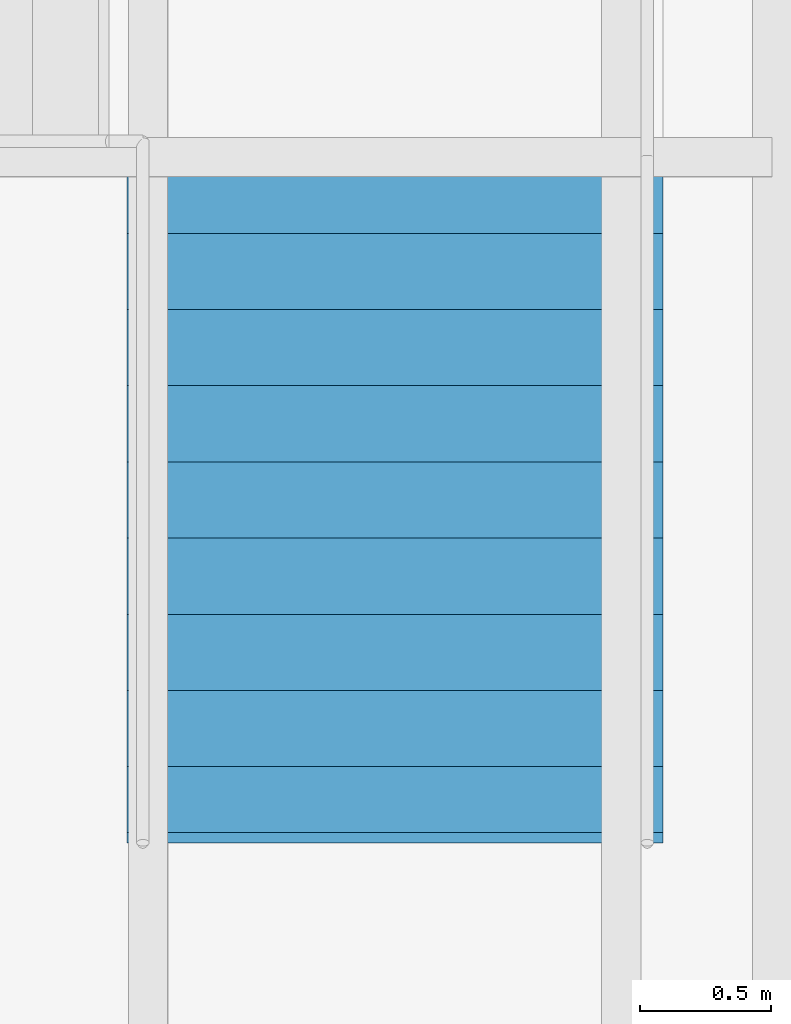
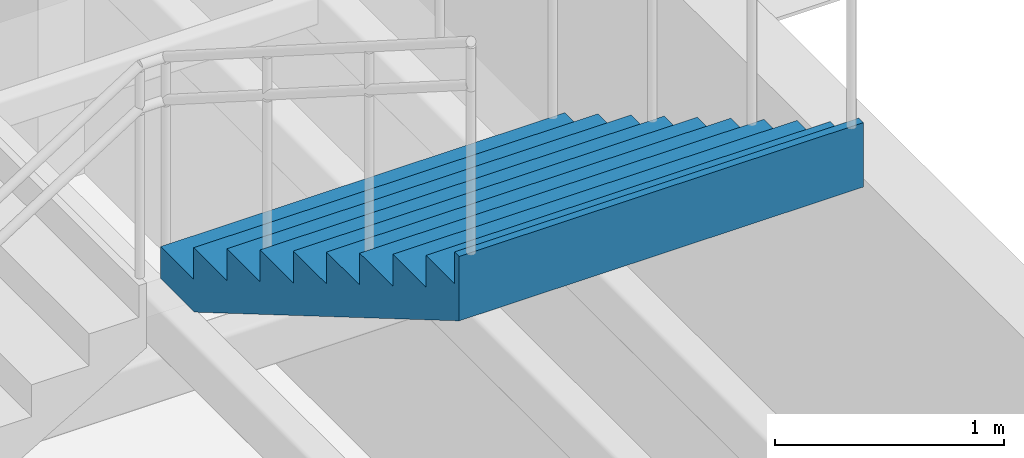
# One storey, part 60 of 67: 1 stair flight, 1 element without a shape of its own.
"""IFC4 building model written with IfcOpenShell, lengths in metres."""

import ifcopenshell
import ifcopenshell.guid

model = None  # the IFC model being written
_history = None  # IfcOwnerHistory: only IFC2X3 demands one
_inside = {}  # id of a spatial element -> (the spatial element, [elements in it])
_under = {}  # id of a project, library or spatial element -> (it, [spatial elements below it])
_declared = {}  # id of a project -> (the project, [libraries it declares])
_typed = {}  # id of a type object -> (the type object, [elements of that type])
_made_of = {}  # id of a material, layer set ... -> (it, [elements and type objects made of it])


def new_model(schema):
    """Start an empty IFC model of exactly this schema.

    Asked for "IFC4X3", IfcOpenShell would pick the latest addendum, in which some entities
    have other attributes; the version numbers below select the first issue.
    IFC2X3 requires an IfcOwnerHistory on every rooted entity: one is made here for all.
    """
    global model, _history
    if schema == "IFC4X3":
        model = ifcopenshell.file(schema_version=(4, 3, 0, 0))
    else:
        model = ifcopenshell.file(schema=schema)
    _inside.clear()
    _under.clear()
    _declared.clear()
    _typed.clear()
    _made_of.clear()
    _history = None
    if model.schema == "IFC2X3":
        org = make("IfcOrganization", Name="unknown")
        user = make(
            "IfcPersonAndOrganization",
            ThePerson=make("IfcPerson", FamilyName="unknown"),
            TheOrganization=org,
        )
        app = make(
            "IfcApplication",
            ApplicationDeveloper=org,
            Version="unknown",
            ApplicationFullName="unknown",
            ApplicationIdentifier="unknown",
        )
        _history = make(
            "IfcOwnerHistory",
            OwningUser=user,
            OwningApplication=app,
            ChangeAction="ADDED",
            CreationDate=0,
        )
    return model


def make(cls, **values):
    """One entity of the class cls with the attributes given. An attribute that is None is left unset."""
    return model.create_entity(
        cls, **{name: value for name, value in values.items() if value is not None}
    )


def rooted(cls, **values):
    """An entity with a GlobalId (a new one), such as an element, a storey or a relation."""
    return make(cls, GlobalId=ifcopenshell.guid.new(), OwnerHistory=_history, **values)


def si_unit(unit_type, name, prefix=None):
    """IfcSIUnit, for example si_unit("LENGTHUNIT", "METRE", prefix="MILLI")."""
    return make("IfcSIUnit", UnitType=unit_type, Prefix=prefix, Name=name)


def assignment(units):
    """IfcUnitAssignment: the units of a project."""
    return None if units is None else make("IfcUnitAssignment", Units=units)


def point(xyz):
    """IfcCartesianPoint."""
    return None if xyz is None else make("IfcCartesianPoint", Coordinates=xyz)


def direction(xyz):
    """IfcDirection."""
    return None if xyz is None else make("IfcDirection", DirectionRatios=xyz)


def frame(location, z_axis=None, x_axis=None):
    """IfcAxis2Placement3D, a coordinate frame: its origin and axes. An axis left out is left unset."""
    return make(
        "IfcAxis2Placement3D",
        Location=point(location),
        Axis=direction(z_axis),
        RefDirection=direction(x_axis),
    )


def origin():
    """The frame at (0, 0, 0) with its axes left unset."""
    return frame((0.0, 0.0, 0.0))


def place(relative_to, where):
    """IfcLocalPlacement: puts the frame where relative to a parent placement (None: the world)."""
    return make(
        "IfcLocalPlacement", PlacementRelTo=relative_to, RelativePlacement=where
    )


def context(
    kind, dimensions, precision=None, world=None, true_north=None, identifier=None
):
    """IfcGeometricRepresentationContext, for example the 3D "Model" context."""
    return make(
        "IfcGeometricRepresentationContext",
        ContextIdentifier=identifier,
        ContextType=kind,
        CoordinateSpaceDimension=dimensions,
        Precision=precision,
        WorldCoordinateSystem=world,
        TrueNorth=true_north,
    )


def subcontext(parent, identifier, kind, view, scale=None):
    """IfcGeometricRepresentationSubContext, for example "Body" below "Model"."""
    return make(
        "IfcGeometricRepresentationSubContext",
        ContextIdentifier=identifier,
        ContextType=kind,
        ParentContext=parent,
        TargetScale=scale,
        TargetView=view,
    )


def project(units=None, contexts=None):
    """IfcProject with its units and contexts."""
    return rooted(
        "IfcProject",
        Name="project",
        RepresentationContexts=contexts,
        UnitsInContext=assignment(units),
    )


def spatial(cls, under=None, at=None, **own):
    """A site, building, storey or space (cls), placed at a placement, below another one or the project."""
    s = rooted(cls, ObjectPlacement=at, **own)
    if under is not None:
        _under.setdefault(under.id(), (under, []))[1].append(s)
    return s


def point_list(points):
    """IfcCartesianPointList2D or 3D."""
    cls = (
        "IfcCartesianPointList2D" if len(points[0]) == 2 else "IfcCartesianPointList3D"
    )
    return make(cls, CoordList=points)


def triangles(points, corners, closed=None, point_numbers=None):
    """IfcTriangulatedFaceSet: each triangle names its three corners, points numbered from 1."""
    return make(
        "IfcTriangulatedFaceSet",
        Coordinates=point_list(points),
        Closed=closed,
        CoordIndex=corners,
        PnIndex=point_numbers,
    )


def shape(context_of_items, identifier, shape_type, items):
    """IfcShapeRepresentation: the items that make up one representation, for example the "Body"."""
    return make(
        "IfcShapeRepresentation",
        ContextOfItems=context_of_items,
        RepresentationIdentifier=identifier,
        RepresentationType=shape_type,
        Items=items,
    )


def material(Name=None, Category=None):
    """IfcMaterial."""
    return make("IfcMaterial", Name=Name, Category=Category)


def made_of(thing, what):
    """Note that an element or type object is made of a material, layer set ...; save() writes the relation."""
    if what is not None:
        _made_of.setdefault(what.id(), (what, []))[1].append(thing)
    return thing


def type_object(cls, material=None, **own):
    """A type object (cls), such as IfcWallType, which elements share."""
    return made_of(rooted(cls, **own), material)


def element(
    cls,
    number,
    at=None,
    inside=None,
    cuts=None,
    type_object=None,
    material=None,
    context=None,
    identifier="Body",
    shape_type=None,
    held_by="IfcProductDefinitionShape",
    body=None,
    shapes=None,
    **own,
):
    """One element of the class cls, such as IfcWall. Its Tag is "e" and its number.

    at: its placement. inside: the storey or other place that contains it. cuts: it is an
    opening in that element (IfcRelVoidsElement). A single representation is given by context,
    identifier, shape_type and body (its items); several are given by shapes. held_by: the class
    of the entity that holds the representations. save() writes the other relations.
    """
    e = rooted(cls, Tag="e%d" % number, ObjectPlacement=at, **own)
    if body is not None:
        shapes = [shape(context, identifier, shape_type, body)]
    if shapes is not None:
        e.Representation = make(held_by, Representations=shapes)
    if inside is not None:
        _inside.setdefault(inside.id(), (inside, []))[1].append(e)
    if cuts is not None:
        rooted(
            "IfcRelVoidsElement", RelatingBuildingElement=cuts, RelatedOpeningElement=e
        )
    if type_object is not None:
        _typed.setdefault(type_object.id(), (type_object, []))[1].append(e)
    return made_of(e, material)


def aggregate(whole, parts):
    """IfcRelAggregates: a whole, such as a stair, and the parts it consists of."""
    return rooted("IfcRelAggregates", RelatingObject=whole, RelatedObjects=parts)


def save(model, path):
    """Write the relations noted so far, then the file.

    IfcRelAggregates (storeys below a building ...), IfcRelContainedInSpatialStructure (elements
    in a storey), IfcRelDefinesByType, IfcRelAssociatesMaterial and IfcRelDeclares: one each for
    every whole, place, type object, material and project.
    """
    for whole, parts in _under.values():
        aggregate(whole, parts)
    for where, things in _inside.values():
        rooted(
            "IfcRelContainedInSpatialStructure",
            RelatedElements=things,
            RelatingStructure=where,
        )
    for kind, things in _typed.values():
        rooted("IfcRelDefinesByType", RelatedObjects=things, RelatingType=kind)
    for what, things in _made_of.values():
        rooted("IfcRelAssociatesMaterial", RelatedObjects=things, RelatingMaterial=what)
    for by, libraries in _declared.values():
        rooted("IfcRelDeclares", RelatingContext=by, RelatedDefinitions=libraries)
    model.write(path)


model = new_model("IFC4")

# Units and contexts
model_context = context("Model", 3, precision=1e-05, world=origin(), true_north=direction((0.0, 1.0)))
body_context = subcontext(model_context, "Body", "Model", "MODEL_VIEW")
ifc_project = project(units=[si_unit("LENGTHUNIT", "METRE"), si_unit("AREAUNIT", "SQUARE_METRE"), si_unit("VOLUMEUNIT", "CUBIC_METRE"), si_unit("PLANEANGLEUNIT", "RADIAN"), si_unit("MASSUNIT", "GRAM", prefix="KILO")], contexts=[model_context])

# Site, building, storey
site_placement = place(None, origin())
site = spatial("IfcSite", under=ifc_project, at=site_placement, CompositionType="ELEMENT")
building_placement = place(site_placement, origin())
building = spatial("IfcBuilding", under=site, at=building_placement, Name="Sillaruma Civic Art Gallery", CompositionType="ELEMENT")
storey_placement = place(building_placement, frame((0.0, 0.0, 46.919921875)))
storey = spatial("IfcBuildingStorey", under=building, at=storey_placement, Name="L09", CompositionType="ELEMENT", Elevation=46.919921875)

# Stair, stair flight
ifc_material = material(Name="Concrete H35 (35 MPa)", Category="concrete")
stair_type = type_object("IfcStairType", Name="STR-3F-30", PredefinedType="TWO_QUARTER_TURN_STAIR", material=ifc_material)
stair_placement = place(storey_placement, origin())
stair = element("IfcStair", 1, at=stair_placement, inside=storey, type_object=stair_type, Name="Monumental Gallery Feature Stair ST-G06 (L09)", PredefinedType="TWO_QUARTER_TURN_STAIR")
stair_flight_type = type_object("IfcStairFlightType", Name="SFL-STR-10", PredefinedType="STRAIGHT", material=ifc_material)
stair_flight_placement = place(storey_placement, frame((90.340087890625, 34.159912109375, 3.400146484375), z_axis=(0.0, 0.0, 1.0), x_axis=(0.0, -1.0, 0.0)))
stair_flight = element("IfcStairFlight", 2, at=stair_flight_placement, type_object=stair_flight_type, Name="ST-G06 flight 3", NumberOfRisers=10, NumberOfTreads=9, PredefinedType="STRAIGHT", RiserHeight=0.17, TreadLength=0.29, context=body_context, shape_type="Tessellation", body=[
    triangles([(0.0, -1.02001953125, 0.0), (0.29, -1.02001953125, 0.0), (0.296521, -1.02001953125, 0.0), (0.58, -1.02001953125, 0.166177), (0.87, -1.02001953125, 0.336177), (1.16, -1.02001953125, 0.506177), (1.45, -1.02001953125, 0.676177), (1.74, -1.02001953125, 0.846177), (2.03, -1.02001953125, 1.016177), (2.32, -1.02001953125, 1.186177), (2.570107, -1.02001953125, 1.332792), (2.610107, -1.02001953125, 1.35624), (2.610107, -1.02001953125, 1.7), (2.570107, -1.02001953125, 1.7), (2.570107, -1.02001953125, 1.53), (2.32, -1.02001953125, 1.53), (2.32, -1.02001953125, 1.36), (2.03, -1.02001953125, 1.36), (2.03, -1.02001953125, 1.19), (1.74, -1.02001953125, 1.19), (1.74, -1.02001953125, 1.02), (1.45, -1.02001953125, 1.02), (1.45, -1.02001953125, 0.85), (1.16, -1.02001953125, 0.85), (1.16, -1.02001953125, 0.68), (0.87, -1.02001953125, 0.68), (0.87, -1.02001953125, 0.51), (0.58, -1.02001953125, 0.51), (0.58, -1.02001953125, 0.34), (0.296521, -1.02001953125, 0.34), (0.29, -1.02001953125, 0.34), (0.29, -1.02001953125, 0.17), (0.0, -1.02001953125, 0.17), (0.0, -0.05, 0.0), (0.29, -0.05, 0.0), (0.296521, -0.05, 0.0), (0.58, -0.05, 0.166177), (0.87, -0.05, 0.336177), (1.16, -0.05, 0.506177), (1.45, -0.05, 0.676177), (1.74, -0.05, 0.846177), (2.03, -0.05, 1.016177), (2.32, -0.05, 1.186177), (2.570107, -0.05, 1.332792), (2.610107, -0.05, 1.35624), (2.610107, -0.05, 1.7), (2.570107, -0.05, 1.7), (2.570107, -0.05, 1.53), (2.32, -0.05, 1.53), (2.32, -0.05, 1.36), (2.03, -0.05, 1.36), (2.03, -0.05, 1.19), (1.74, -0.05, 1.19), (1.74, -0.05, 1.02), (1.45, -0.05, 1.02), (1.45, -0.05, 0.85), (1.16, -0.05, 0.85), (1.16, -0.05, 0.68), (0.87, -0.05, 0.68), (0.87, -0.05, 0.51), (0.58, -0.05, 0.51), (0.58, -0.05, 0.34), (0.296521, -0.05, 0.34), (0.29, -0.05, 0.34), (0.29, -0.05, 0.17), (0.0, -0.05, 0.17), (0.0, -0.0375, 0.0), (0.29, -0.0375, 0.0), (0.296521, -0.0375, 0.0), (0.58, -0.0375, 0.166177), (0.87, -0.0375, 0.336177), (1.16, -0.0375, 0.506177), (1.45, -0.0375, 0.676177), (1.74, -0.0375, 0.846177), (2.03, -0.0375, 1.016177), (2.32, -0.0375, 1.186177), (2.570107, -0.0375, 1.332792), (2.610107, -0.0375, 1.35624), (2.610107, -0.0375, 1.7), (2.570107, -0.0375, 1.7), (2.570107, -0.0375, 1.53), (2.32, -0.0375, 1.53), (2.32, -0.0375, 1.36), (2.03, -0.0375, 1.36), (2.03, -0.0375, 1.19), (1.74, -0.0375, 1.19), (1.74, -0.0375, 1.02), (1.45, -0.0375, 1.02), (1.45, -0.0375, 0.85), (1.16, -0.0375, 0.85), (1.16, -0.0375, 0.68), (0.87, -0.0375, 0.68), (0.87, -0.0375, 0.51), (0.58, -0.0375, 0.51), (0.58, -0.0375, 0.34), (0.296521, -0.0375, 0.34), (0.29, -0.0375, 0.34), (0.29, -0.0375, 0.17), (0.0, -0.0375, 0.17), (0.0, -0.025, 0.0), (0.29, -0.025, 0.0), (0.296521, -0.025, 0.0), (0.58, -0.025, 0.166177), (0.87, -0.025, 0.336177), (1.16, -0.025, 0.506177), (1.45, -0.025, 0.676177), (1.74, -0.025, 0.846177), (2.03, -0.025, 1.016177), (2.32, -0.025, 1.186177), (2.570107, -0.025, 1.332792), (2.610107, -0.025, 1.35624), (2.610107, -0.025, 1.7), (2.570107, -0.025, 1.7), (2.570107, -0.025, 1.53), (2.32, -0.025, 1.53), (2.32, -0.025, 1.36), (2.03, -0.025, 1.36), (2.03, -0.025, 1.19), (1.74, -0.025, 1.19), (1.74, -0.025, 1.02), (1.45, -0.025, 1.02), (1.45, -0.025, 0.85), (1.16, -0.025, 0.85), (1.16, -0.025, 0.68), (0.87, -0.025, 0.68), (0.87, -0.025, 0.51), (0.58, -0.025, 0.51), (0.58, -0.025, 0.34), (0.296521, -0.025, 0.34), (0.29, -0.025, 0.34), (0.29, -0.025, 0.17), (0.0, -0.025, 0.17), (0.0, -0.0125, 0.0), (0.29, -0.0125, 0.0), (0.296521, -0.0125, 0.0), (0.58, -0.0125, 0.166177), (0.87, -0.0125, 0.336177), (1.16, -0.0125, 0.506177), (1.45, -0.0125, 0.676177), (1.74, -0.0125, 0.846177), (2.03, -0.0125, 1.016177), (2.32, -0.0125, 1.186177), (2.570107, -0.0125, 1.332792), (2.610107, -0.0125, 1.35624), (2.610107, -0.0125, 1.7), (2.570107, -0.0125, 1.7), (2.570107, -0.0125, 1.53), (2.32, -0.0125, 1.53), (2.32, -0.0125, 1.36), (2.03, -0.0125, 1.36), (2.03, -0.0125, 1.19), (1.74, -0.0125, 1.19), (1.74, -0.0125, 1.02), (1.45, -0.0125, 1.02), (1.45, -0.0125, 0.85), (1.16, -0.0125, 0.85), (1.16, -0.0125, 0.68), (0.87, -0.0125, 0.68), (0.87, -0.0125, 0.51), (0.58, -0.0125, 0.51), (0.58, -0.0125, 0.34), (0.296521, -0.0125, 0.34), (0.29, -0.0125, 0.34), (0.29, -0.0125, 0.17), (0.0, -0.0125, 0.17), (0.0, 0.0, 0.0), (0.29, 0.0, 0.0), (0.296521, 0.0, 0.0), (0.58, 0.0, 0.166177), (0.87, 0.0, 0.336177), (1.16, 0.0, 0.506177), (1.45, 0.0, 0.676177), (1.74, 0.0, 0.846177), (2.03, 0.0, 1.016177), (2.32, 0.0, 1.186177), (2.570107, 0.0, 1.332792), (2.610107, 0.0, 1.35624), (2.610107, 0.0, 1.7), (2.570107, 0.0, 1.7), (2.570107, 0.0, 1.53), (2.32, 0.0, 1.53), (2.32, 0.0, 1.36), (2.03, 0.0, 1.36), (2.03, 0.0, 1.19), (1.74, 0.0, 1.19), (1.74, 0.0, 1.02), (1.45, 0.0, 1.02), (1.45, 0.0, 0.85), (1.16, 0.0, 0.85), (1.16, 0.0, 0.68), (0.87, 0.0, 0.68), (0.87, 0.0, 0.51), (0.58, 0.0, 0.51), (0.58, 0.0, 0.34), (0.296521, 0.0, 0.34), (0.29, 0.0, 0.34), (0.29, 0.0, 0.17), (0.0, 0.0, 0.17), (0.0, 0.0125, 0.0), (0.29, 0.0125, 0.0), (0.296521, 0.0125, 0.0), (0.58, 0.0125, 0.166177), (0.87, 0.0125, 0.336177), (1.16, 0.0125, 0.506177), (1.45, 0.0125, 0.676177), (1.74, 0.0125, 0.846177), (2.03, 0.0125, 1.016177), (2.32, 0.0125, 1.186177), (2.570107, 0.0125, 1.332792), (2.610107, 0.0125, 1.35624), (2.610107, 0.0125, 1.7), (2.570107, 0.0125, 1.7), (2.570107, 0.0125, 1.53), (2.32, 0.0125, 1.53), (2.32, 0.0125, 1.36), (2.03, 0.0125, 1.36), (2.03, 0.0125, 1.19), (1.74, 0.0125, 1.19), (1.74, 0.0125, 1.02), (1.45, 0.0125, 1.02), (1.45, 0.0125, 0.85), (1.16, 0.0125, 0.85), (1.16, 0.0125, 0.68), (0.87, 0.0125, 0.68), (0.87, 0.0125, 0.51), (0.58, 0.0125, 0.51), (0.58, 0.0125, 0.34), (0.296521, 0.0125, 0.34), (0.29, 0.0125, 0.34), (0.29, 0.0125, 0.17), (0.0, 0.0125, 0.17), (0.0, 0.025, 0.0), (0.29, 0.025, 0.0), (0.296521, 0.025, 0.0), (0.58, 0.025, 0.166177), (0.87, 0.025, 0.336177), (1.16, 0.025, 0.506177), (1.45, 0.025, 0.676177), (1.74, 0.025, 0.846177), (2.03, 0.025, 1.016177), (2.32, 0.025, 1.186177), (2.570107, 0.025, 1.332792), (2.610107, 0.025, 1.35624), (2.610107, 0.025, 1.7), (2.570107, 0.025, 1.7), (2.570107, 0.025, 1.53), (2.32, 0.025, 1.53), (2.32, 0.025, 1.36), (2.03, 0.025, 1.36), (2.03, 0.025, 1.19), (1.74, 0.025, 1.19), (1.74, 0.025, 1.02), (1.45, 0.025, 1.02), (1.45, 0.025, 0.85), (1.16, 0.025, 0.85), (1.16, 0.025, 0.68), (0.87, 0.025, 0.68), (0.87, 0.025, 0.51), (0.58, 0.025, 0.51), (0.58, 0.025, 0.34), (0.296521, 0.025, 0.34), (0.29, 0.025, 0.34), (0.29, 0.025, 0.17), (0.0, 0.025, 0.17), (0.0, 0.0375, 0.0), (0.29, 0.0375, 0.0), (0.296521, 0.0375, 0.0), (0.58, 0.0375, 0.166177), (0.87, 0.0375, 0.336177), (1.16, 0.0375, 0.506177), (1.45, 0.0375, 0.676177), (1.74, 0.0375, 0.846177), (2.03, 0.0375, 1.016177), (2.32, 0.0375, 1.186177), (2.570107, 0.0375, 1.332792), (2.610107, 0.0375, 1.35624), (2.610107, 0.0375, 1.7), (2.570107, 0.0375, 1.7), (2.570107, 0.0375, 1.53), (2.32, 0.0375, 1.53), (2.32, 0.0375, 1.36), (2.03, 0.0375, 1.36), (2.03, 0.0375, 1.19), (1.74, 0.0375, 1.19), (1.74, 0.0375, 1.02), (1.45, 0.0375, 1.02), (1.45, 0.0375, 0.85), (1.16, 0.0375, 0.85), (1.16, 0.0375, 0.68), (0.87, 0.0375, 0.68), (0.87, 0.0375, 0.51), (0.58, 0.0375, 0.51), (0.58, 0.0375, 0.34), (0.296521, 0.0375, 0.34), (0.29, 0.0375, 0.34), (0.29, 0.0375, 0.17), (0.0, 0.0375, 0.17), (0.0, 0.05, 0.0), (0.29, 0.05, 0.0), (0.296521, 0.05, 0.0), (0.58, 0.05, 0.166177), (0.87, 0.05, 0.336177), (1.16, 0.05, 0.506177), (1.45, 0.05, 0.676177), (1.74, 0.05, 0.846177), (2.03, 0.05, 1.016177), (2.32, 0.05, 1.186177), (2.570107, 0.05, 1.332792), (2.610107, 0.05, 1.35624), (2.610107, 0.05, 1.7), (2.570107, 0.05, 1.7), (2.570107, 0.05, 1.53), (2.32, 0.05, 1.53), (2.32, 0.05, 1.36), (2.03, 0.05, 1.36), (2.03, 0.05, 1.19), (1.74, 0.05, 1.19), (1.74, 0.05, 1.02), (1.45, 0.05, 1.02), (1.45, 0.05, 0.85), (1.16, 0.05, 0.85), (1.16, 0.05, 0.68), (0.87, 0.05, 0.68), (0.87, 0.05, 0.51), (0.58, 0.05, 0.51), (0.58, 0.05, 0.34), (0.296521, 0.05, 0.34), (0.29, 0.05, 0.34), (0.29, 0.05, 0.17), (0.0, 0.05, 0.17), (0.0, 1.02001953125, 0.0), (0.29, 1.02001953125, 0.0), (0.296521, 1.02001953125, 0.0), (0.58, 1.02001953125, 0.166177), (0.87, 1.02001953125, 0.336177), (1.16, 1.02001953125, 0.506177), (1.45, 1.02001953125, 0.676177), (1.74, 1.02001953125, 0.846177), (2.03, 1.02001953125, 1.016177), (2.32, 1.02001953125, 1.186177), (2.570107, 1.02001953125, 1.332792), (2.610107, 1.02001953125, 1.35624), (2.610107, 1.02001953125, 1.7), (2.570107, 1.02001953125, 1.7), (2.570107, 1.02001953125, 1.53), (2.32, 1.02001953125, 1.53), (2.32, 1.02001953125, 1.36), (2.03, 1.02001953125, 1.36), (2.03, 1.02001953125, 1.19), (1.74, 1.02001953125, 1.19), (1.74, 1.02001953125, 1.02), (1.45, 1.02001953125, 1.02), (1.45, 1.02001953125, 0.85), (1.16, 1.02001953125, 0.85), (1.16, 1.02001953125, 0.68), (0.87, 1.02001953125, 0.68), (0.87, 1.02001953125, 0.51), (0.58, 1.02001953125, 0.51), (0.58, 1.02001953125, 0.34), (0.296521, 1.02001953125, 0.34), (0.29, 1.02001953125, 0.34), (0.29, 1.02001953125, 0.17), (0.0, 1.02001953125, 0.17)], [[1, 2, 32], [1, 32, 33], [2, 3, 30], [2, 30, 32], [32, 30, 31], [3, 4, 29], [3, 29, 30], [4, 5, 27], [4, 27, 29], [29, 27, 28], [5, 6, 25], [5, 25, 27], [27, 25, 26], [6, 7, 23], [6, 23, 25], [25, 23, 24], [7, 8, 21], [7, 21, 23], [23, 21, 22], [8, 9, 19], [8, 19, 21], [21, 19, 20], [9, 10, 17], [9, 17, 19], [19, 17, 18], [10, 11, 15], [10, 15, 17], [17, 15, 16], [11, 12, 13], [11, 13, 15], [15, 13, 14], [362, 332, 331], [363, 362, 331], [360, 333, 332], [362, 360, 332], [361, 360, 362], [359, 334, 333], [360, 359, 333], [357, 335, 334], [359, 357, 334], [358, 357, 359], [355, 336, 335], [357, 355, 335], [356, 355, 357], [353, 337, 336], [355, 353, 336], [354, 353, 355], [351, 338, 337], [353, 351, 337], [352, 351, 353], [349, 339, 338], [351, 349, 338], [350, 349, 351], [347, 340, 339], [349, 347, 339], [348, 347, 349], [345, 341, 340], [347, 345, 340], [346, 345, 347], [343, 342, 341], [345, 343, 341], [344, 343, 345], [2, 1, 34], [2, 34, 35], [3, 2, 35], [3, 35, 36], [4, 3, 36], [4, 36, 37], [5, 4, 37], [5, 37, 38], [6, 5, 38], [6, 38, 39], [7, 6, 39], [7, 39, 40], [8, 7, 40], [8, 40, 41], [9, 8, 41], [9, 41, 42], [10, 9, 42], [10, 42, 43], [11, 10, 43], [11, 43, 44], [12, 11, 44], [12, 44, 45], [13, 12, 45], [13, 45, 46], [14, 13, 46], [14, 46, 47], [15, 14, 47], [15, 47, 48], [16, 15, 48], [16, 48, 49], [17, 16, 49], [17, 49, 50], [18, 17, 50], [18, 50, 51], [19, 18, 51], [19, 51, 52], [20, 19, 52], [20, 52, 53], [21, 20, 53], [21, 53, 54], [22, 21, 54], [22, 54, 55], [23, 22, 55], [23, 55, 56], [24, 23, 56], [24, 56, 57], [25, 24, 57], [25, 57, 58], [26, 25, 58], [26, 58, 59], [27, 26, 59], [27, 59, 60], [28, 27, 60], [28, 60, 61], [29, 28, 61], [29, 61, 62], [30, 29, 62], [30, 62, 63], [31, 30, 63], [31, 63, 64], [32, 31, 64], [32, 64, 65], [33, 32, 65], [33, 65, 66], [1, 33, 66], [1, 66, 34], [35, 34, 67], [35, 67, 68], [36, 35, 68], [36, 68, 69], [37, 36, 69], [37, 69, 70], [38, 37, 70], [38, 70, 71], [39, 38, 71], [39, 71, 72], [40, 39, 72], [40, 72, 73], [41, 40, 73], [41, 73, 74], [42, 41, 74], [42, 74, 75], [43, 42, 75], [43, 75, 76], [44, 43, 76], [44, 76, 77], [45, 44, 77], [45, 77, 78], [46, 45, 78], [46, 78, 79], [47, 46, 79], [47, 79, 80], [48, 47, 80], [48, 80, 81], [49, 48, 81], [49, 81, 82], [50, 49, 82], [50, 82, 83], [51, 50, 83], [51, 83, 84], [52, 51, 84], [52, 84, 85], [53, 52, 85], [53, 85, 86], [54, 53, 86], [54, 86, 87], [55, 54, 87], [55, 87, 88], [56, 55, 88], [56, 88, 89], [57, 56, 89], [57, 89, 90], [58, 57, 90], [58, 90, 91], [59, 58, 91], [59, 91, 92], [60, 59, 92], [60, 92, 93], [61, 60, 93], [61, 93, 94], [62, 61, 94], [62, 94, 95], [63, 62, 95], [63, 95, 96], [64, 63, 96], [64, 96, 97], [65, 64, 97], [65, 97, 98], [66, 65, 98], [66, 98, 99], [34, 66, 99], [34, 99, 67], [68, 67, 100], [68, 100, 101], [69, 68, 101], [69, 101, 102], [70, 69, 102], [70, 102, 103], [71, 70, 103], [71, 103, 104], [72, 71, 104], [72, 104, 105], [73, 72, 105], [73, 105, 106], [74, 73, 106], [74, 106, 107], [75, 74, 107], [75, 107, 108], [76, 75, 108], [76, 108, 109], [77, 76, 109], [77, 109, 110], [78, 77, 110], [78, 110, 111], [79, 78, 111], [79, 111, 112], [80, 79, 112], [80, 112, 113], [81, 80, 113], [81, 113, 114], [82, 81, 114], [82, 114, 115], [83, 82, 115], [83, 115, 116], [84, 83, 116], [84, 116, 117], [85, 84, 117], [85, 117, 118], [86, 85, 118], [86, 118, 119], [87, 86, 119], [87, 119, 120], [88, 87, 120], [88, 120, 121], [89, 88, 121], [89, 121, 122], [90, 89, 122], [90, 122, 123], [91, 90, 123], [91, 123, 124], [92, 91, 124], [92, 124, 125], [93, 92, 125], [93, 125, 126], [94, 93, 126], [94, 126, 127], [95, 94, 127], [95, 127, 128], [96, 95, 128], [96, 128, 129], [97, 96, 129], [97, 129, 130], [98, 97, 130], [98, 130, 131], [99, 98, 131], [99, 131, 132], [67, 99, 132], [67, 132, 100], [101, 100, 133], [101, 133, 134], [102, 101, 134], [102, 134, 135], [103, 102, 135], [103, 135, 136], [104, 103, 136], [104, 136, 137], [105, 104, 137], [105, 137, 138], [106, 105, 138], [106, 138, 139], [107, 106, 139], [107, 139, 140], [108, 107, 140], [108, 140, 141], [109, 108, 141], [109, 141, 142], [110, 109, 142], [110, 142, 143], [111, 110, 143], [111, 143, 144], [112, 111, 144], [112, 144, 145], [113, 112, 145], [113, 145, 146], [114, 113, 146], [114, 146, 147], [115, 114, 147], [115, 147, 148], [116, 115, 148], [116, 148, 149], [117, 116, 149], [117, 149, 150], [118, 117, 150], [118, 150, 151], [119, 118, 151], [119, 151, 152], [120, 119, 152], [120, 152, 153], [121, 120, 153], [121, 153, 154], [122, 121, 154], [122, 154, 155], [123, 122, 155], [123, 155, 156], [124, 123, 156], [124, 156, 157], [125, 124, 157], [125, 157, 158], [126, 125, 158], [126, 158, 159], [127, 126, 159], [127, 159, 160], [128, 127, 160], [128, 160, 161], [129, 128, 161], [129, 161, 162], [130, 129, 162], [130, 162, 163], [131, 130, 163], [131, 163, 164], [132, 131, 164], [132, 164, 165], [100, 132, 165], [100, 165, 133], [134, 133, 166], [134, 166, 167], [135, 134, 167], [135, 167, 168], [136, 135, 168], [136, 168, 169], [137, 136, 169], [137, 169, 170], [138, 137, 170], [138, 170, 171], [139, 138, 171], [139, 171, 172], [140, 139, 172], [140, 172, 173], [141, 140, 173], [141, 173, 174], [142, 141, 174], [142, 174, 175], [143, 142, 175], [143, 175, 176], [144, 143, 176], [144, 176, 177], [145, 144, 177], [145, 177, 178], [146, 145, 178], [146, 178, 179], [147, 146, 179], [147, 179, 180], [148, 147, 180], [148, 180, 181], [149, 148, 181], [149, 181, 182], [150, 149, 182], [150, 182, 183], [151, 150, 183], [151, 183, 184], [152, 151, 184], [152, 184, 185], [153, 152, 185], [153, 185, 186], [154, 153, 186], [154, 186, 187], [155, 154, 187], [155, 187, 188], [156, 155, 188], [156, 188, 189], [157, 156, 189], [157, 189, 190], [158, 157, 190], [158, 190, 191], [159, 158, 191], [159, 191, 192], [160, 159, 192], [160, 192, 193], [161, 160, 193], [161, 193, 194], [162, 161, 194], [162, 194, 195], [163, 162, 195], [163, 195, 196], [164, 163, 196], [164, 196, 197], [165, 164, 197], [165, 197, 198], [133, 165, 198], [133, 198, 166], [167, 166, 199], [167, 199, 200], [168, 167, 200], [168, 200, 201], [169, 168, 201], [169, 201, 202], [170, 169, 202], [170, 202, 203], [171, 170, 203], [171, 203, 204], [172, 171, 204], [172, 204, 205], [173, 172, 205], [173, 205, 206], [174, 173, 206], [174, 206, 207], [175, 174, 207], [175, 207, 208], [176, 175, 208], [176, 208, 209], [177, 176, 209], [177, 209, 210], [178, 177, 210], [178, 210, 211], [179, 178, 211], [179, 211, 212], [180, 179, 212], [180, 212, 213], [181, 180, 213], [181, 213, 214], [182, 181, 214], [182, 214, 215], [183, 182, 215], [183, 215, 216], [184, 183, 216], [184, 216, 217], [185, 184, 217], [185, 217, 218], [186, 185, 218], [186, 218, 219], [187, 186, 219], [187, 219, 220], [188, 187, 220], [188, 220, 221], [189, 188, 221], [189, 221, 222], [190, 189, 222], [190, 222, 223], [191, 190, 223], [191, 223, 224], [192, 191, 224], [192, 224, 225], [193, 192, 225], [193, 225, 226], [194, 193, 226], [194, 226, 227], [195, 194, 227], [195, 227, 228], [196, 195, 228], [196, 228, 229], [197, 196, 229], [197, 229, 230], [198, 197, 230], [198, 230, 231], [166, 198, 231], [166, 231, 199], [200, 199, 232], [200, 232, 233], [201, 200, 233], [201, 233, 234], [202, 201, 234], [202, 234, 235], [203, 202, 235], [203, 235, 236], [204, 203, 236], [204, 236, 237], [205, 204, 237], [205, 237, 238], [206, 205, 238], [206, 238, 239], [207, 206, 239], [207, 239, 240], [208, 207, 240], [208, 240, 241], [209, 208, 241], [209, 241, 242], [210, 209, 242], [210, 242, 243], [211, 210, 243], [211, 243, 244], [212, 211, 244], [212, 244, 245], [213, 212, 245], [213, 245, 246], [214, 213, 246], [214, 246, 247], [215, 214, 247], [215, 247, 248], [216, 215, 248], [216, 248, 249], [217, 216, 249], [217, 249, 250], [218, 217, 250], [218, 250, 251], [219, 218, 251], [219, 251, 252], [220, 219, 252], [220, 252, 253], [221, 220, 253], [221, 253, 254], [222, 221, 254], [222, 254, 255], [223, 222, 255], [223, 255, 256], [224, 223, 256], [224, 256, 257], [225, 224, 257], [225, 257, 258], [226, 225, 258], [226, 258, 259], [227, 226, 259], [227, 259, 260], [228, 227, 260], [228, 260, 261], [229, 228, 261], [229, 261, 262], [230, 229, 262], [230, 262, 263], [231, 230, 263], [231, 263, 264], [199, 231, 264], [199, 264, 232], [233, 232, 265], [233, 265, 266], [234, 233, 266], [234, 266, 267], [235, 234, 267], [235, 267, 268], [236, 235, 268], [236, 268, 269], [237, 236, 269], [237, 269, 270], [238, 237, 270], [238, 270, 271], [239, 238, 271], [239, 271, 272], [240, 239, 272], [240, 272, 273], [241, 240, 273], [241, 273, 274], [242, 241, 274], [242, 274, 275], [243, 242, 275], [243, 275, 276], [244, 243, 276], [244, 276, 277], [245, 244, 277], [245, 277, 278], [246, 245, 278], [246, 278, 279], [247, 246, 279], [247, 279, 280], [248, 247, 280], [248, 280, 281], [249, 248, 281], [249, 281, 282], [250, 249, 282], [250, 282, 283], [251, 250, 283], [251, 283, 284], [252, 251, 284], [252, 284, 285], [253, 252, 285], [253, 285, 286], [254, 253, 286], [254, 286, 287], [255, 254, 287], [255, 287, 288], [256, 255, 288], [256, 288, 289], [257, 256, 289], [257, 289, 290], [258, 257, 290], [258, 290, 291], [259, 258, 291], [259, 291, 292], [260, 259, 292], [260, 292, 293], [261, 260, 293], [261, 293, 294], [262, 261, 294], [262, 294, 295], [263, 262, 295], [263, 295, 296], [264, 263, 296], [264, 296, 297], [232, 264, 297], [232, 297, 265], [266, 265, 298], [266, 298, 299], [267, 266, 299], [267, 299, 300], [268, 267, 300], [268, 300, 301], [269, 268, 301], [269, 301, 302], [270, 269, 302], [270, 302, 303], [271, 270, 303], [271, 303, 304], [272, 271, 304], [272, 304, 305], [273, 272, 305], [273, 305, 306], [274, 273, 306], [274, 306, 307], [275, 274, 307], [275, 307, 308], [276, 275, 308], [276, 308, 309], [277, 276, 309], [277, 309, 310], [278, 277, 310], [278, 310, 311], [279, 278, 311], [279, 311, 312], [280, 279, 312], [280, 312, 313], [281, 280, 313], [281, 313, 314], [282, 281, 314], [282, 314, 315], [283, 282, 315], [283, 315, 316], [284, 283, 316], [284, 316, 317], [285, 284, 317], [285, 317, 318], [286, 285, 318], [286, 318, 319], [287, 286, 319], [287, 319, 320], [288, 287, 320], [288, 320, 321], [289, 288, 321], [289, 321, 322], [290, 289, 322], [290, 322, 323], [291, 290, 323], [291, 323, 324], [292, 291, 324], [292, 324, 325], [293, 292, 325], [293, 325, 326], [294, 293, 326], [294, 326, 327], [295, 294, 327], [295, 327, 328], [296, 295, 328], [296, 328, 329], [297, 296, 329], [297, 329, 330], [265, 297, 330], [265, 330, 298], [299, 298, 331], [299, 331, 332], [300, 299, 332], [300, 332, 333], [301, 300, 333], [301, 333, 334], [302, 301, 334], [302, 334, 335], [303, 302, 335], [303, 335, 336], [304, 303, 336], [304, 336, 337], [305, 304, 337], [305, 337, 338], [306, 305, 338], [306, 338, 339], [307, 306, 339], [307, 339, 340], [308, 307, 340], [308, 340, 341], [309, 308, 341], [309, 341, 342], [310, 309, 342], [310, 342, 343], [311, 310, 343], [311, 343, 344], [312, 311, 344], [312, 344, 345], [313, 312, 345], [313, 345, 346], [314, 313, 346], [314, 346, 347], [315, 314, 347], [315, 347, 348], [316, 315, 348], [316, 348, 349], [317, 316, 349], [317, 349, 350], [318, 317, 350], [318, 350, 351], [319, 318, 351], [319, 351, 352], [320, 319, 352], [320, 352, 353], [321, 320, 353], [321, 353, 354], [322, 321, 354], [322, 354, 355], [323, 322, 355], [323, 355, 356], [324, 323, 356], [324, 356, 357], [325, 324, 357], [325, 357, 358], [326, 325, 358], [326, 358, 359], [327, 326, 359], [327, 359, 360], [328, 327, 360], [328, 360, 361], [329, 328, 361], [329, 361, 362], [330, 329, 362], [330, 362, 363], [298, 330, 363], [298, 363, 331]], closed=True),
])
aggregate(stair, [stair_flight])

save(model, "model.ifc")
